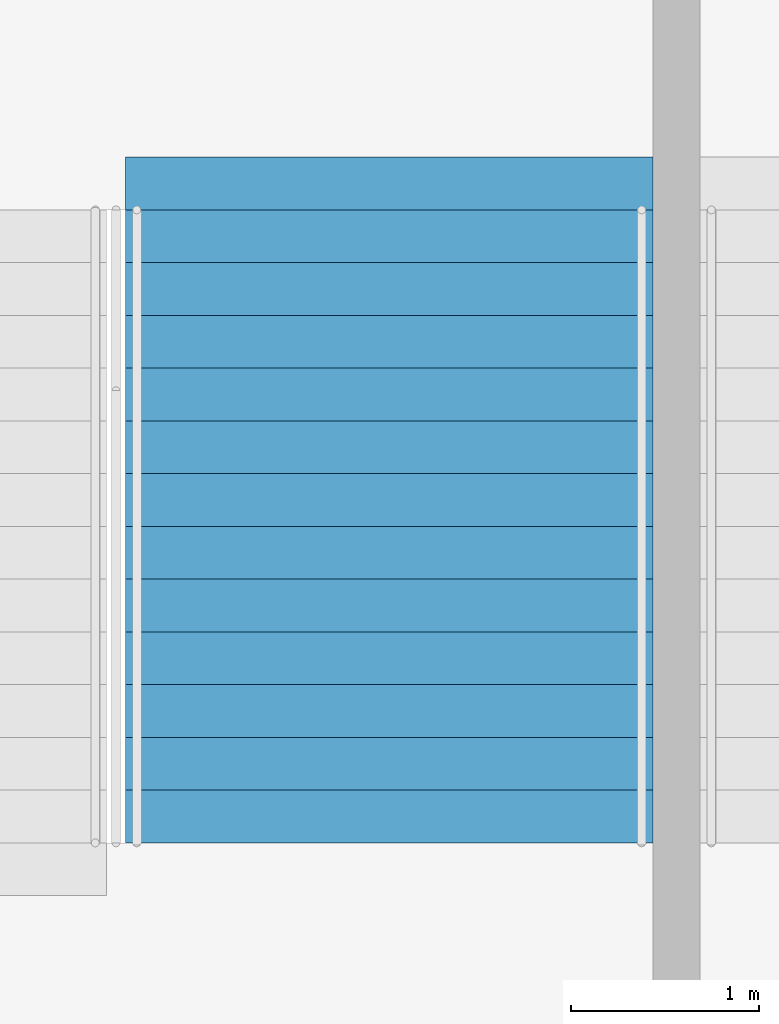
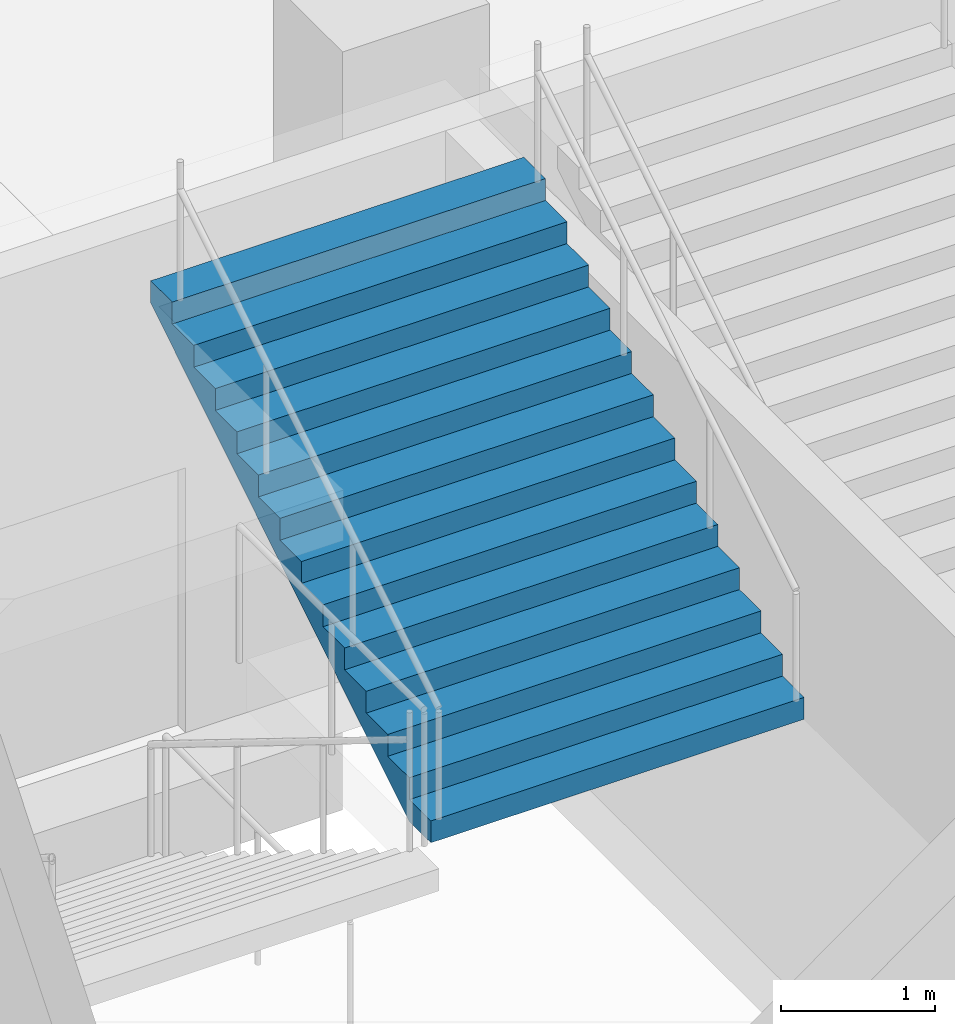
# One storey, part 125 of 199: 1 stair flight, 1 element without a shape of its own.
"""IFC4 building model written with IfcOpenShell, lengths in metres."""

from ifc_helpers import new_model, si_unit, direction, frame, origin, place, context, subcontext, project, spatial, faceted_brep, material, type_object, element, aggregate, save


model = new_model("IFC4")

# Units and contexts
model_context = context("Model", 3, precision=1e-05, world=origin(), true_north=direction((0.0, 1.0)))
body_context = subcontext(model_context, "Body", "Model", "MODEL_VIEW")
ifc_project = project(units=[si_unit("LENGTHUNIT", "METRE"), si_unit("AREAUNIT", "SQUARE_METRE"), si_unit("VOLUMEUNIT", "CUBIC_METRE"), si_unit("PLANEANGLEUNIT", "RADIAN"), si_unit("MASSUNIT", "GRAM", prefix="KILO")], contexts=[model_context])

# Site, building, storey
site_placement = place(None, origin())
site = spatial("IfcSite", under=ifc_project, at=site_placement, CompositionType="ELEMENT")
building_placement = place(site_placement, origin())
building = spatial("IfcBuilding", under=site, at=building_placement, Name="Ogive Plaza Stadium", CompositionType="ELEMENT")
storey_placement = place(building_placement, frame((0.0, 0.0, 4.5)))
storey = spatial("IfcBuildingStorey", under=building, at=storey_placement, Name="L01", CompositionType="ELEMENT", Elevation=4.5)

# Stair, stair flight
ifc_material_1 = material(Name="Concrete C40/50", Category="concrete")
stair_type = type_object("IfcStairType", Name="Exit stair", PredefinedType="STRAIGHT_RUN_STAIR", material=ifc_material_1)
stair_placement = place(storey_placement, origin())
stair = element("IfcStair", 1, at=stair_placement, inside=storey, type_object=stair_type, Name="Exit stair ST12A L01 to L02", PredefinedType="STRAIGHT_RUN_STAIR")
ifc_material_2 = material(Name="Concrete C40/50", Category="concrete")
stair_flight_type = type_object("IfcStairFlightType", Name="Exit stair flight", PredefinedType="STRAIGHT", material=ifc_material_2)
stair_flight_placement = place(storey_placement, frame((32.47509765625, -98.2099609375, 2.25), z_axis=(0.0, 0.0, 1.0), x_axis=(0.0, 1.0, 0.0)))
stair_flight = element("IfcStairFlight", 2, at=stair_flight_placement, type_object=stair_flight_type, Name="ST12A flight 2", NumberOfRisers=13, NumberOfTreads=12, PredefinedType="STRAIGHT", RiserHeight=0.173076923, TreadLength=0.28, context=body_context, shape_type="Brep", body=[
    faceted_brep([(0.28515625, -1.39990234375, 0.0), (3.639892578125, -1.39990234375, 2.07373046875), (3.639892578125, -1.39990234375, 2.25), (3.360107421875, -1.39990234375, 2.25), (3.360107421875, -1.39990234375, 2.076904296875), (3.080078125, -1.39990234375, 2.076904296875), (3.080078125, -1.39990234375, 1.90380859375), (2.800048828125, -1.39990234375, 1.90380859375), (2.800048828125, -1.39990234375, 1.730712890625), (2.52001953125, -1.39990234375, 1.730712890625), (2.52001953125, -1.39990234375, 1.5576171875), (2.239990234375, -1.39990234375, 1.5576171875), (2.239990234375, -1.39990234375, 1.384521484375), (1.9599609375, -1.39990234375, 1.384521484375), (1.9599609375, -1.39990234375, 1.21142578125), (1.679931640625, -1.39990234375, 1.21142578125), (1.679931640625, -1.39990234375, 1.03857421875), (1.39990234375, -1.39990234375, 1.03857421875), (1.39990234375, -1.39990234375, 0.865478515625), (1.1201171875, -1.39990234375, 0.865478515625), (1.1201171875, -1.39990234375, 0.6923828125), (0.840087890625, -1.39990234375, 0.6923828125), (0.840087890625, -1.39990234375, 0.519287109375), (0.56005859375, -1.39990234375, 0.519287109375), (0.56005859375, -1.39990234375, 0.34619140625), (0.280029296875, -1.39990234375, 0.34619140625), (0.280029296875, -1.39990234375, 0.173095703125), (0.0, -1.39990234375, 0.173095703125), (0.0, -1.39990234375, 0.0), (0.0, 1.39990234375, 0.0), (0.0, 1.39990234375, 0.173095703125), (0.280029296875, 1.39990234375, 0.173095703125), (0.280029296875, 1.39990234375, 0.34619140625), (0.56005859375, 1.39990234375, 0.34619140625), (0.56005859375, 1.39990234375, 0.519287109375), (0.840087890625, 1.39990234375, 0.519287109375), (0.840087890625, 1.39990234375, 0.6923828125), (1.1201171875, 1.39990234375, 0.6923828125), (1.1201171875, 1.39990234375, 0.865478515625), (1.39990234375, 1.39990234375, 0.865478515625), (1.39990234375, 1.39990234375, 1.03857421875), (1.679931640625, 1.39990234375, 1.03857421875), (1.679931640625, 1.39990234375, 1.21142578125), (1.9599609375, 1.39990234375, 1.21142578125), (1.9599609375, 1.39990234375, 1.384521484375), (2.239990234375, 1.39990234375, 1.384521484375), (2.239990234375, 1.39990234375, 1.5576171875), (2.52001953125, 1.39990234375, 1.5576171875), (2.52001953125, 1.39990234375, 1.730712890625), (2.800048828125, 1.39990234375, 1.730712890625), (2.800048828125, 1.39990234375, 1.90380859375), (3.080078125, 1.39990234375, 1.90380859375), (3.080078125, 1.39990234375, 2.076904296875), (3.360107421875, 1.39990234375, 2.076904296875), (3.360107421875, 1.39990234375, 2.25), (3.639892578125, 1.39990234375, 2.25), (3.639892578125, 1.39990234375, 2.07373046875), (0.28515625, 1.39990234375, 0.0), (0.28515625, -1.0888671875, 0.0), (3.639892578125, -1.0888671875, 2.07373046875), (0.28515625, -0.77783203125, 0.0), (3.639892578125, -0.77783203125, 2.07373046875), (0.28515625, -0.466796875, 0.0), (3.639892578125, -0.466796875, 2.07373046875), (0.28515625, -0.155517578125, 0.0), (3.639892578125, -0.155517578125, 2.07373046875), (0.28515625, 0.155517578125, 0.0), (3.639892578125, 0.155517578125, 2.07373046875), (0.28515625, 0.466796875, 0.0), (3.639892578125, 0.466796875, 2.07373046875), (0.28515625, 0.77783203125, 0.0), (3.639892578125, 0.77783203125, 2.07373046875), (0.28515625, 1.0888671875, 0.0), (3.639892578125, 1.0888671875, 2.07373046875), (3.639892578125, -1.0888671875, 2.25), (3.639892578125, -0.77783203125, 2.25), (3.639892578125, -0.466796875, 2.25), (3.639892578125, -0.155517578125, 2.25), (3.639892578125, 0.155517578125, 2.25), (3.639892578125, 0.466796875, 2.25), (3.639892578125, 0.77783203125, 2.25), (3.639892578125, 1.0888671875, 2.25), (3.360107421875, -1.0888671875, 2.25), (3.360107421875, -0.77783203125, 2.25), (3.360107421875, -0.466796875, 2.25), (3.360107421875, -0.155517578125, 2.25), (3.360107421875, 0.155517578125, 2.25), (3.360107421875, 0.466796875, 2.25), (3.360107421875, 0.77783203125, 2.25), (3.360107421875, 1.0888671875, 2.25), (3.360107421875, -1.0888671875, 2.076904296875), (3.360107421875, -0.77783203125, 2.076904296875), (3.360107421875, -0.466796875, 2.076904296875), (3.360107421875, -0.155517578125, 2.076904296875), (3.360107421875, 0.155517578125, 2.076904296875), (3.360107421875, 0.466796875, 2.076904296875), (3.360107421875, 0.77783203125, 2.076904296875), (3.360107421875, 1.0888671875, 2.076904296875), (3.080078125, -1.0888671875, 2.076904296875), (3.080078125, -0.77783203125, 2.076904296875), (3.080078125, -0.466796875, 2.076904296875), (3.080078125, -0.155517578125, 2.076904296875), (3.080078125, 0.155517578125, 2.076904296875), (3.080078125, 0.466796875, 2.076904296875), (3.080078125, 0.77783203125, 2.076904296875), (3.080078125, 1.0888671875, 2.076904296875), (3.080078125, -1.0888671875, 1.90380859375), (3.080078125, -0.77783203125, 1.90380859375), (3.080078125, -0.466796875, 1.90380859375), (3.080078125, -0.155517578125, 1.90380859375), (3.080078125, 0.155517578125, 1.90380859375), (3.080078125, 0.466796875, 1.90380859375), (3.080078125, 0.77783203125, 1.90380859375), (3.080078125, 1.0888671875, 1.90380859375), (2.800048828125, -1.0888671875, 1.90380859375), (2.800048828125, -0.77783203125, 1.90380859375), (2.800048828125, -0.466796875, 1.90380859375), (2.800048828125, -0.155517578125, 1.90380859375), (2.800048828125, 0.155517578125, 1.90380859375), (2.800048828125, 0.466796875, 1.90380859375), (2.800048828125, 0.77783203125, 1.90380859375), (2.800048828125, 1.0888671875, 1.90380859375), (2.800048828125, -1.0888671875, 1.730712890625), (2.800048828125, -0.77783203125, 1.730712890625), (2.800048828125, -0.466796875, 1.730712890625), (2.800048828125, -0.155517578125, 1.730712890625), (2.800048828125, 0.155517578125, 1.730712890625), (2.800048828125, 0.466796875, 1.730712890625), (2.800048828125, 0.77783203125, 1.730712890625), (2.800048828125, 1.0888671875, 1.730712890625), (2.52001953125, -1.0888671875, 1.730712890625), (2.52001953125, -0.77783203125, 1.730712890625), (2.52001953125, -0.466796875, 1.730712890625), (2.52001953125, -0.155517578125, 1.730712890625), (2.52001953125, 0.155517578125, 1.730712890625), (2.52001953125, 0.466796875, 1.730712890625), (2.52001953125, 0.77783203125, 1.730712890625), (2.52001953125, 1.0888671875, 1.730712890625), (2.52001953125, -1.0888671875, 1.5576171875), (2.52001953125, -0.77783203125, 1.5576171875), (2.52001953125, -0.466796875, 1.5576171875), (2.52001953125, -0.155517578125, 1.5576171875), (2.52001953125, 0.155517578125, 1.5576171875), (2.52001953125, 0.466796875, 1.5576171875), (2.52001953125, 0.77783203125, 1.5576171875), (2.52001953125, 1.0888671875, 1.5576171875), (2.239990234375, -1.0888671875, 1.5576171875), (2.239990234375, -0.77783203125, 1.5576171875), (2.239990234375, -0.466796875, 1.5576171875), (2.239990234375, -0.155517578125, 1.5576171875), (2.239990234375, 0.155517578125, 1.5576171875), (2.239990234375, 0.466796875, 1.5576171875), (2.239990234375, 0.77783203125, 1.5576171875), (2.239990234375, 1.0888671875, 1.5576171875), (2.239990234375, -1.0888671875, 1.384521484375), (2.239990234375, -0.77783203125, 1.384521484375), (2.239990234375, -0.466796875, 1.384521484375), (2.239990234375, -0.155517578125, 1.384521484375), (2.239990234375, 0.155517578125, 1.384521484375), (2.239990234375, 0.466796875, 1.384521484375), (2.239990234375, 0.77783203125, 1.384521484375), (2.239990234375, 1.0888671875, 1.384521484375), (1.9599609375, -1.0888671875, 1.384521484375), (1.9599609375, -0.77783203125, 1.384521484375), (1.9599609375, -0.466796875, 1.384521484375), (1.9599609375, -0.155517578125, 1.384521484375), (1.9599609375, 0.155517578125, 1.384521484375), (1.9599609375, 0.466796875, 1.384521484375), (1.9599609375, 0.77783203125, 1.384521484375), (1.9599609375, 1.0888671875, 1.384521484375), (1.9599609375, -1.0888671875, 1.21142578125), (1.9599609375, -0.77783203125, 1.21142578125), (1.9599609375, -0.466796875, 1.21142578125), (1.9599609375, -0.155517578125, 1.21142578125), (1.9599609375, 0.155517578125, 1.21142578125), (1.9599609375, 0.466796875, 1.21142578125), (1.9599609375, 0.77783203125, 1.21142578125), (1.9599609375, 1.0888671875, 1.21142578125), (1.679931640625, -1.0888671875, 1.21142578125), (1.679931640625, -0.77783203125, 1.21142578125), (1.679931640625, -0.466796875, 1.21142578125), (1.679931640625, -0.155517578125, 1.21142578125), (1.679931640625, 0.155517578125, 1.21142578125), (1.679931640625, 0.466796875, 1.21142578125), (1.679931640625, 0.77783203125, 1.21142578125), (1.679931640625, 1.0888671875, 1.21142578125), (1.679931640625, -1.0888671875, 1.03857421875), (1.679931640625, -0.77783203125, 1.03857421875), (1.679931640625, -0.466796875, 1.03857421875), (1.679931640625, -0.155517578125, 1.03857421875), (1.679931640625, 0.155517578125, 1.03857421875), (1.679931640625, 0.466796875, 1.03857421875), (1.679931640625, 0.77783203125, 1.03857421875), (1.679931640625, 1.0888671875, 1.03857421875), (1.39990234375, -1.0888671875, 1.03857421875), (1.39990234375, -0.77783203125, 1.03857421875), (1.39990234375, -0.466796875, 1.03857421875), (1.39990234375, -0.155517578125, 1.03857421875), (1.39990234375, 0.155517578125, 1.03857421875), (1.39990234375, 0.466796875, 1.03857421875), (1.39990234375, 0.77783203125, 1.03857421875), (1.39990234375, 1.0888671875, 1.03857421875), (1.39990234375, -1.0888671875, 0.865478515625), (1.39990234375, -0.77783203125, 0.865478515625), (1.39990234375, -0.466796875, 0.865478515625), (1.39990234375, -0.155517578125, 0.865478515625), (1.39990234375, 0.155517578125, 0.865478515625), (1.39990234375, 0.466796875, 0.865478515625), (1.39990234375, 0.77783203125, 0.865478515625), (1.39990234375, 1.0888671875, 0.865478515625), (1.1201171875, -1.0888671875, 0.865478515625), (1.1201171875, -0.77783203125, 0.865478515625), (1.1201171875, -0.466796875, 0.865478515625), (1.1201171875, -0.155517578125, 0.865478515625), (1.1201171875, 0.155517578125, 0.865478515625), (1.1201171875, 0.466796875, 0.865478515625), (1.1201171875, 0.77783203125, 0.865478515625), (1.1201171875, 1.0888671875, 0.865478515625), (1.1201171875, -1.0888671875, 0.6923828125), (1.1201171875, -0.77783203125, 0.6923828125), (1.1201171875, -0.466796875, 0.6923828125), (1.1201171875, -0.155517578125, 0.6923828125), (1.1201171875, 0.155517578125, 0.6923828125), (1.1201171875, 0.466796875, 0.6923828125), (1.1201171875, 0.77783203125, 0.6923828125), (1.1201171875, 1.0888671875, 0.6923828125), (0.840087890625, -1.0888671875, 0.6923828125), (0.840087890625, -0.77783203125, 0.6923828125), (0.840087890625, -0.466796875, 0.6923828125), (0.840087890625, -0.155517578125, 0.6923828125), (0.840087890625, 0.155517578125, 0.6923828125), (0.840087890625, 0.466796875, 0.6923828125), (0.840087890625, 0.77783203125, 0.6923828125), (0.840087890625, 1.0888671875, 0.6923828125), (0.840087890625, -1.0888671875, 0.519287109375), (0.840087890625, -0.77783203125, 0.519287109375), (0.840087890625, -0.466796875, 0.519287109375), (0.840087890625, -0.155517578125, 0.519287109375), (0.840087890625, 0.155517578125, 0.519287109375), (0.840087890625, 0.466796875, 0.519287109375), (0.840087890625, 0.77783203125, 0.519287109375), (0.840087890625, 1.0888671875, 0.519287109375), (0.56005859375, -1.0888671875, 0.519287109375), (0.56005859375, -0.77783203125, 0.519287109375), (0.56005859375, -0.466796875, 0.519287109375), (0.56005859375, -0.155517578125, 0.519287109375), (0.56005859375, 0.155517578125, 0.519287109375), (0.56005859375, 0.466796875, 0.519287109375), (0.56005859375, 0.77783203125, 0.519287109375), (0.56005859375, 1.0888671875, 0.519287109375), (0.56005859375, -1.0888671875, 0.34619140625), (0.56005859375, -0.77783203125, 0.34619140625), (0.56005859375, -0.466796875, 0.34619140625), (0.56005859375, -0.155517578125, 0.34619140625), (0.56005859375, 0.155517578125, 0.34619140625), (0.56005859375, 0.466796875, 0.34619140625), (0.56005859375, 0.77783203125, 0.34619140625), (0.56005859375, 1.0888671875, 0.34619140625), (0.280029296875, -1.0888671875, 0.34619140625), (0.280029296875, -0.77783203125, 0.34619140625), (0.280029296875, -0.466796875, 0.34619140625), (0.280029296875, -0.155517578125, 0.34619140625), (0.280029296875, 0.155517578125, 0.34619140625), (0.280029296875, 0.466796875, 0.34619140625), (0.280029296875, 0.77783203125, 0.34619140625), (0.280029296875, 1.0888671875, 0.34619140625), (0.280029296875, -1.0888671875, 0.173095703125), (0.280029296875, -0.77783203125, 0.173095703125), (0.280029296875, -0.466796875, 0.173095703125), (0.280029296875, -0.155517578125, 0.173095703125), (0.280029296875, 0.155517578125, 0.173095703125), (0.280029296875, 0.466796875, 0.173095703125), (0.280029296875, 0.77783203125, 0.173095703125), (0.280029296875, 1.0888671875, 0.173095703125), (0.0, -1.0888671875, 0.173095703125), (0.0, -0.77783203125, 0.173095703125), (0.0, -0.466796875, 0.173095703125), (0.0, -0.155517578125, 0.173095703125), (0.0, 0.155517578125, 0.173095703125), (0.0, 0.466796875, 0.173095703125), (0.0, 0.77783203125, 0.173095703125), (0.0, 1.0888671875, 0.173095703125), (0.0, -1.0888671875, 0.0), (0.0, -0.77783203125, 0.0), (0.0, -0.466796875, 0.0), (0.0, -0.155517578125, 0.0), (0.0, 0.155517578125, 0.0), (0.0, 0.466796875, 0.0), (0.0, 0.77783203125, 0.0), (0.0, 1.0888671875, 0.0)], [[[0, 1, 2, 3, 4, 5, 6, 7, 8, 9, 10, 11, 12, 13, 14, 15, 16, 17, 18, 19, 20, 21, 22, 23, 24, 25, 26, 27, 28]], [[29, 30, 31, 32, 33, 34, 35, 36, 37, 38, 39, 40, 41, 42, 43, 44, 45, 46, 47, 48, 49, 50, 51, 52, 53, 54, 55, 56, 57]], [[0, 58, 59, 1]], [[58, 60, 61, 59]], [[60, 62, 63, 61]], [[62, 64, 65, 63]], [[64, 66, 67, 65]], [[66, 68, 69, 67]], [[68, 70, 71, 69]], [[70, 72, 73, 71]], [[72, 57, 56, 73]], [[1, 59, 74, 2]], [[59, 61, 75, 74]], [[61, 63, 76, 75]], [[63, 65, 77, 76]], [[65, 67, 78, 77]], [[67, 69, 79, 78]], [[69, 71, 80, 79]], [[71, 73, 81, 80]], [[73, 56, 55, 81]], [[2, 74, 82, 3]], [[74, 75, 83, 82]], [[75, 76, 84, 83]], [[76, 77, 85, 84]], [[77, 78, 86, 85]], [[78, 79, 87, 86]], [[79, 80, 88, 87]], [[80, 81, 89, 88]], [[81, 55, 54, 89]], [[3, 82, 90, 4]], [[82, 83, 91, 90]], [[83, 84, 92, 91]], [[84, 85, 93, 92]], [[85, 86, 94, 93]], [[86, 87, 95, 94]], [[87, 88, 96, 95]], [[88, 89, 97, 96]], [[89, 54, 53, 97]], [[4, 90, 98, 5]], [[90, 91, 99, 98]], [[91, 92, 100, 99]], [[92, 93, 101, 100]], [[93, 94, 102, 101]], [[94, 95, 103, 102]], [[95, 96, 104, 103]], [[96, 97, 105, 104]], [[97, 53, 52, 105]], [[5, 98, 106, 6]], [[98, 99, 107, 106]], [[99, 100, 108, 107]], [[100, 101, 109, 108]], [[101, 102, 110, 109]], [[102, 103, 111, 110]], [[103, 104, 112, 111]], [[104, 105, 113, 112]], [[105, 52, 51, 113]], [[6, 106, 114, 7]], [[106, 107, 115, 114]], [[107, 108, 116, 115]], [[108, 109, 117, 116]], [[109, 110, 118, 117]], [[110, 111, 119, 118]], [[111, 112, 120, 119]], [[112, 113, 121, 120]], [[113, 51, 50, 121]], [[7, 114, 122, 8]], [[114, 115, 123, 122]], [[115, 116, 124, 123]], [[116, 117, 125, 124]], [[117, 118, 126, 125]], [[118, 119, 127, 126]], [[119, 120, 128, 127]], [[120, 121, 129, 128]], [[121, 50, 49, 129]], [[8, 122, 130, 9]], [[122, 123, 131, 130]], [[123, 124, 132, 131]], [[124, 125, 133, 132]], [[125, 126, 134, 133]], [[126, 127, 135, 134]], [[127, 128, 136, 135]], [[128, 129, 137, 136]], [[129, 49, 48, 137]], [[9, 130, 138, 10]], [[130, 131, 139, 138]], [[131, 132, 140, 139]], [[132, 133, 141, 140]], [[133, 134, 142, 141]], [[134, 135, 143, 142]], [[135, 136, 144, 143]], [[136, 137, 145, 144]], [[137, 48, 47, 145]], [[10, 138, 146, 11]], [[138, 139, 147, 146]], [[139, 140, 148, 147]], [[140, 141, 149, 148]], [[141, 142, 150, 149]], [[142, 143, 151, 150]], [[143, 144, 152, 151]], [[144, 145, 153, 152]], [[145, 47, 46, 153]], [[11, 146, 154, 12]], [[146, 147, 155, 154]], [[147, 148, 156, 155]], [[148, 149, 157, 156]], [[149, 150, 158, 157]], [[150, 151, 159, 158]], [[151, 152, 160, 159]], [[152, 153, 161, 160]], [[153, 46, 45, 161]], [[12, 154, 162, 13]], [[154, 155, 163, 162]], [[155, 156, 164, 163]], [[156, 157, 165, 164]], [[157, 158, 166, 165]], [[158, 159, 167, 166]], [[159, 160, 168, 167]], [[160, 161, 169, 168]], [[161, 45, 44, 169]], [[13, 162, 170, 14]], [[162, 163, 171, 170]], [[163, 164, 172, 171]], [[164, 165, 173, 172]], [[165, 166, 174, 173]], [[166, 167, 175, 174]], [[167, 168, 176, 175]], [[168, 169, 177, 176]], [[169, 44, 43, 177]], [[14, 170, 178, 15]], [[170, 171, 179, 178]], [[171, 172, 180, 179]], [[172, 173, 181, 180]], [[173, 174, 182, 181]], [[174, 175, 183, 182]], [[175, 176, 184, 183]], [[176, 177, 185, 184]], [[177, 43, 42, 185]], [[15, 178, 186, 16]], [[178, 179, 187, 186]], [[179, 180, 188, 187]], [[180, 181, 189, 188]], [[181, 182, 190, 189]], [[182, 183, 191, 190]], [[183, 184, 192, 191]], [[184, 185, 193, 192]], [[185, 42, 41, 193]], [[16, 186, 194, 17]], [[186, 187, 195, 194]], [[187, 188, 196, 195]], [[188, 189, 197, 196]], [[189, 190, 198, 197]], [[190, 191, 199, 198]], [[191, 192, 200, 199]], [[192, 193, 201, 200]], [[193, 41, 40, 201]], [[17, 194, 202, 18]], [[194, 195, 203, 202]], [[195, 196, 204, 203]], [[196, 197, 205, 204]], [[197, 198, 206, 205]], [[198, 199, 207, 206]], [[199, 200, 208, 207]], [[200, 201, 209, 208]], [[201, 40, 39, 209]], [[18, 202, 210, 19]], [[202, 203, 211, 210]], [[203, 204, 212, 211]], [[204, 205, 213, 212]], [[205, 206, 214, 213]], [[206, 207, 215, 214]], [[207, 208, 216, 215]], [[208, 209, 217, 216]], [[209, 39, 38, 217]], [[19, 210, 218, 20]], [[210, 211, 219, 218]], [[211, 212, 220, 219]], [[212, 213, 221, 220]], [[213, 214, 222, 221]], [[214, 215, 223, 222]], [[215, 216, 224, 223]], [[216, 217, 225, 224]], [[217, 38, 37, 225]], [[20, 218, 226, 21]], [[218, 219, 227, 226]], [[219, 220, 228, 227]], [[220, 221, 229, 228]], [[221, 222, 230, 229]], [[222, 223, 231, 230]], [[223, 224, 232, 231]], [[224, 225, 233, 232]], [[225, 37, 36, 233]], [[21, 226, 234, 22]], [[226, 227, 235, 234]], [[227, 228, 236, 235]], [[228, 229, 237, 236]], [[229, 230, 238, 237]], [[230, 231, 239, 238]], [[231, 232, 240, 239]], [[232, 233, 241, 240]], [[233, 36, 35, 241]], [[22, 234, 242, 23]], [[234, 235, 243, 242]], [[235, 236, 244, 243]], [[236, 237, 245, 244]], [[237, 238, 246, 245]], [[238, 239, 247, 246]], [[239, 240, 248, 247]], [[240, 241, 249, 248]], [[241, 35, 34, 249]], [[23, 242, 250, 24]], [[242, 243, 251, 250]], [[243, 244, 252, 251]], [[244, 245, 253, 252]], [[245, 246, 254, 253]], [[246, 247, 255, 254]], [[247, 248, 256, 255]], [[248, 249, 257, 256]], [[249, 34, 33, 257]], [[24, 250, 258, 25]], [[250, 251, 259, 258]], [[251, 252, 260, 259]], [[252, 253, 261, 260]], [[253, 254, 262, 261]], [[254, 255, 263, 262]], [[255, 256, 264, 263]], [[256, 257, 265, 264]], [[257, 33, 32, 265]], [[25, 258, 266, 26]], [[258, 259, 267, 266]], [[259, 260, 268, 267]], [[260, 261, 269, 268]], [[261, 262, 270, 269]], [[262, 263, 271, 270]], [[263, 264, 272, 271]], [[264, 265, 273, 272]], [[265, 32, 31, 273]], [[26, 266, 274, 27]], [[266, 267, 275, 274]], [[267, 268, 276, 275]], [[268, 269, 277, 276]], [[269, 270, 278, 277]], [[270, 271, 279, 278]], [[271, 272, 280, 279]], [[272, 273, 281, 280]], [[273, 31, 30, 281]], [[27, 274, 282, 28]], [[274, 275, 283, 282]], [[275, 276, 284, 283]], [[276, 277, 285, 284]], [[277, 278, 286, 285]], [[278, 279, 287, 286]], [[279, 280, 288, 287]], [[280, 281, 289, 288]], [[281, 30, 29, 289]], [[28, 282, 58, 0]], [[282, 283, 60, 58]], [[283, 284, 62, 60]], [[284, 285, 64, 62]], [[285, 286, 66, 64]], [[286, 287, 68, 66]], [[287, 288, 70, 68]], [[288, 289, 72, 70]], [[289, 29, 57, 72]]]),
])
aggregate(stair, [stair_flight])

save(model, "model.ifc")
